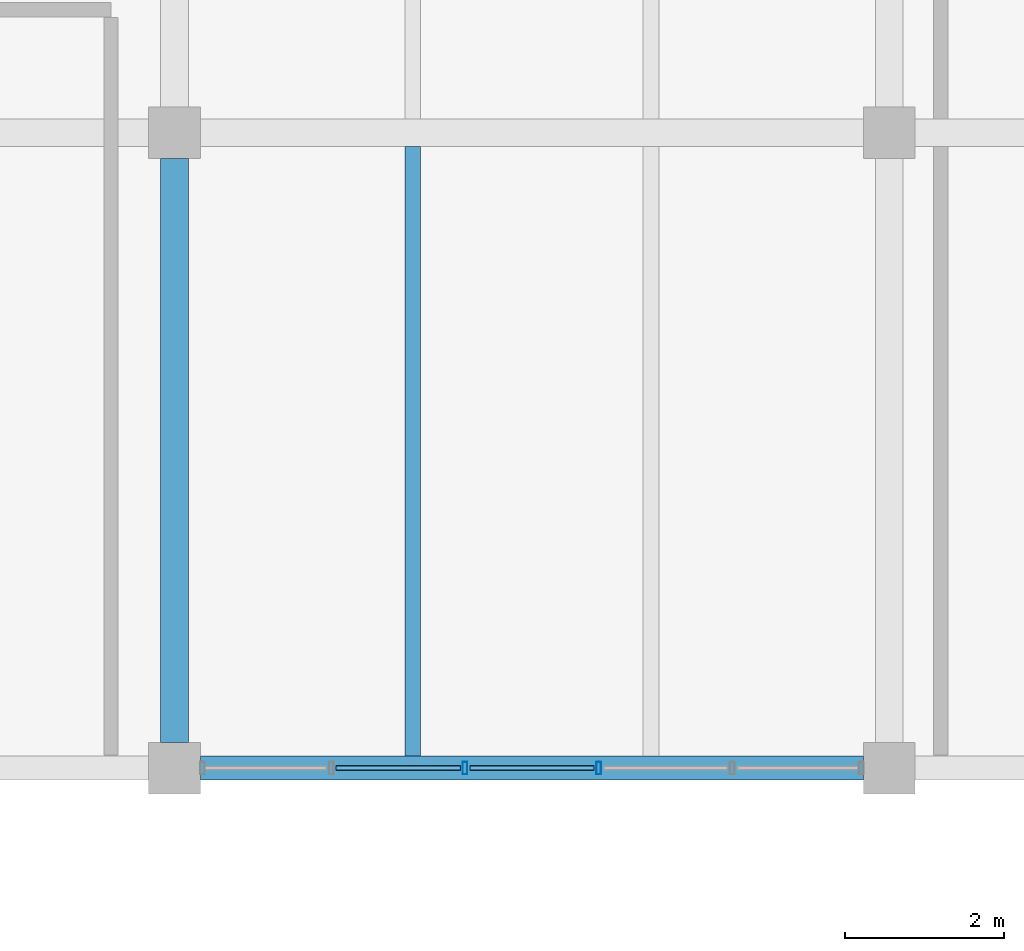
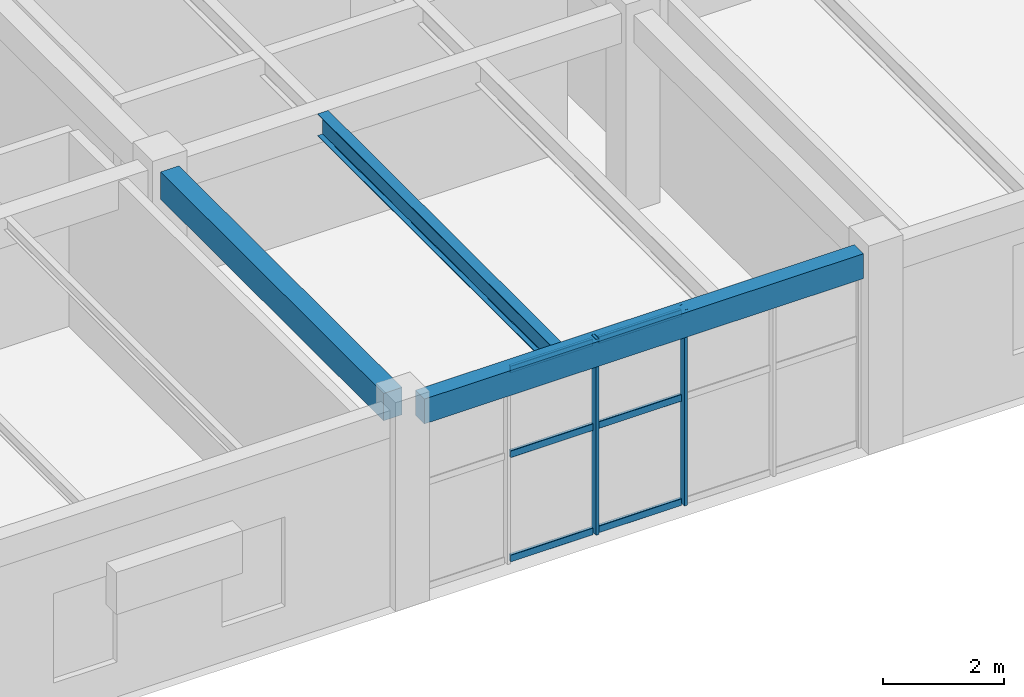
# One storey, part 15 of 71: 8 members, 3 beams, 1 element without a shape of its own.
"""IFC4 building model written with IfcOpenShell, lengths in metres."""

from ifc_helpers import new_model, si_unit, derived_unit, direction, frame, origin, origin_2d, place, context, subcontext, project, spatial, rectangle, hollow_rectangle, i_section, extrude, material, material_profile, profile_set, type_object, element, aggregate, save


model = new_model("IFC4")

# Units and contexts
model_context = context("Model", 3, precision=1e-05, world=origin(), true_north=direction((0.0, 1.0)))
body_context = subcontext(model_context, "Body", "Model", "MODEL_VIEW")
ifc_project = project(units=[si_unit("LENGTHUNIT", "METRE"), si_unit("AREAUNIT", "SQUARE_METRE"), si_unit("VOLUMEUNIT", "CUBIC_METRE"), si_unit("PLANEANGLEUNIT", "RADIAN"), si_unit("MASSUNIT", "GRAM", prefix="KILO"), derived_unit("THERMALTRANSMITTANCEUNIT", [(si_unit("MASSUNIT", "GRAM", prefix="KILO"), 1), (si_unit("TIMEUNIT", "SECOND"), -3), (si_unit("THERMODYNAMICTEMPERATUREUNIT", "KELVIN"), -1)])], contexts=[model_context])

# Site, building, storey
site_placement = place(None, origin())
site = spatial("IfcSite", under=ifc_project, at=site_placement, CompositionType="ELEMENT")
building_placement = place(site_placement, origin())
building = spatial("IfcBuilding", under=site, at=building_placement, Name="Zhenchuan Archway Interchange", CompositionType="ELEMENT")
storey_placement = place(building_placement, frame((0.0, 0.0, 18.60009765625)))
storey = spatial("IfcBuildingStorey", under=building, at=storey_placement, Name="L04", CompositionType="ELEMENT", Elevation=18.60009765625)

# Beam
ifc_material_1 = material(Name="Concrete C40", Category="concrete")
ifc_material_profile_1 = material_profile(ifc_material_1, rectangle(XDim=0.35009765625, YDim=0.550048828125, at=origin_2d()), Name="RC 350x550")
ifc_profile_set_1 = profile_set([ifc_material_profile_1], Name="Concrete C40")
beam_type_1 = type_object("IfcBeamType", Name="BM_RC_350x550", PredefinedType="BEAM", material=ifc_profile_set_1)
beam_1_placement = place(storey_placement, frame((153.0, 8.324951171875, 3.664794921875), z_axis=(0.0, 1.0, 0.0), x_axis=(-1.0, 0.0, 0.0)))
element("IfcBeam", 1, at=beam_1_placement, inside=storey, type_object=beam_type_1, Name="Beam 18:B-C (L04)", PredefinedType="BEAM", context=body_context, shape_type="SweptSolid", body=[
    extrude(rectangle(XDim=0.35009765625, YDim=0.550048828125, at=origin_2d()), origin(), (0.0, 0.0, 1.0), 7.35009765625),
])

# Curtain wall, members
ifc_material_2 = material(Name="Anodised Aluminium", Category="aluminium")
curtain_wall_type = type_object("IfcCurtainWallType", Name="CW_UNIT_1", PredefinedType="NOTDEFINED", material=ifc_material_2)
curtain_wall_placement = place(storey_placement, origin())
curtain_wall = element("IfcCurtainWall", 2, at=curtain_wall_placement, inside=storey, type_object=curtain_wall_type, Name="Unitised curtain wall CW:L04:188", PredefinedType="NOTDEFINED")
ifc_material_profile_2 = material_profile(ifc_material_2, hollow_rectangle(XDim=0.06005859375, YDim=0.159912109375, WallThickness=0.00390625, InnerFilletRadius=0.00390625, OuterFilletRadius=0.008056640625, at=origin_2d()), Name="ALU 160x60x4")
ifc_profile_set_2 = profile_set([ifc_material_profile_2], Name="Anodised Aluminium")
member_type_1 = type_object("IfcMemberType", Name="CW_MUL_150", PredefinedType="MULLION", material=ifc_profile_set_2)
member_1_placement = place(storey_placement, frame((158.34130859375, 8.0, 0.0), z_axis=(0.0, 0.0, 1.0), x_axis=(1.0, 0.0, 0.0)))
member_1 = element("IfcMember", 3, at=member_1_placement, type_object=member_type_1, Name="CW:L04:188 mullion 2", PredefinedType="MULLION", context=body_context, shape_type="SweptSolid", body=[
    extrude(hollow_rectangle(XDim=0.06005859375, YDim=0.159912109375, WallThickness=0.00390625, InnerFilletRadius=0.00390625, OuterFilletRadius=0.008056640625, at=origin_2d()), origin(), (0.0, 0.0, 1.0), 3.93994140625),
])
member_2_placement = place(storey_placement, frame((156.65869140625, 8.0, 0.0), z_axis=(0.0, 0.0, 1.0), x_axis=(1.0, 0.0, 0.0)))
member_2 = element("IfcMember", 4, at=member_2_placement, type_object=member_type_1, Name="CW:L04:188 mullion 3", PredefinedType="MULLION", context=body_context, shape_type="SweptSolid", body=[
    extrude(hollow_rectangle(XDim=0.06005859375, YDim=0.159912109375, WallThickness=0.00390625, InnerFilletRadius=0.00390625, OuterFilletRadius=0.008056640625, at=origin_2d()), origin(), (0.0, 0.0, 1.0), 3.93994140625),
])
ifc_material_profile_3 = material_profile(ifc_material_2, hollow_rectangle(XDim=0.06005859375, YDim=0.139892578125, WallThickness=0.00341796875, InnerFilletRadius=0.00341796875, OuterFilletRadius=0.007080078125, at=origin_2d()), Name="ALU 140x60x3.5")
ifc_profile_set_3 = profile_set([ifc_material_profile_3], Name="Anodised Aluminium")
member_type_2 = type_object("IfcMemberType", Name="CW_TRN_140", PredefinedType="USERDEFINED", material=ifc_profile_set_3)
member_3_placement = place(storey_placement, frame((158.281494140625, 8.0, 0.059814453125), z_axis=(-1.0, 0.0, 0.0), x_axis=(0.0, -1.0, 0.0)))
member_3 = element("IfcMember", 5, at=member_3_placement, type_object=member_type_2, Name="CW:L04:188 transom 2-1", ObjectType="TRANSOM", PredefinedType="USERDEFINED", context=body_context, shape_type="SweptSolid", body=[
    extrude(hollow_rectangle(XDim=0.06005859375, YDim=0.139892578125, WallThickness=0.00341796875, InnerFilletRadius=0.00341796875, OuterFilletRadius=0.007080078125, at=origin_2d()), origin(), (0.0, 0.0, 1.0), 1.56298828125),
])
member_4_placement = place(storey_placement, frame((158.281494140625, 8.0, 2.156005859375), z_axis=(-1.0, 0.0, 0.0), x_axis=(0.0, -1.0, 0.0)))
member_4 = element("IfcMember", 6, at=member_4_placement, type_object=member_type_2, Name="CW:L04:188 transom 2-2", ObjectType="TRANSOM", PredefinedType="USERDEFINED", context=body_context, shape_type="SweptSolid", body=[
    extrude(hollow_rectangle(XDim=0.06005859375, YDim=0.139892578125, WallThickness=0.00341796875, InnerFilletRadius=0.00341796875, OuterFilletRadius=0.007080078125, at=origin_2d()), origin(), (0.0, 0.0, 1.0), 1.56298828125),
])
member_5_placement = place(storey_placement, frame((158.281494140625, 8.0, 3.85986328125), z_axis=(-1.0, 0.0, 0.0), x_axis=(0.0, -1.0, 0.0)))
member_5 = element("IfcMember", 7, at=member_5_placement, type_object=member_type_2, Name="CW:L04:188 transom 2-3", ObjectType="TRANSOM", PredefinedType="USERDEFINED", context=body_context, shape_type="SweptSolid", body=[
    extrude(hollow_rectangle(XDim=0.06005859375, YDim=0.139892578125, WallThickness=0.00341796875, InnerFilletRadius=0.00341796875, OuterFilletRadius=0.007080078125, at=origin_2d()), origin(), (0.0, 0.0, 1.0), 1.56298828125),
])
member_6_placement = place(storey_placement, frame((156.5986328125, 8.0, 0.059814453125), z_axis=(-1.0, 0.0, 0.0), x_axis=(0.0, -1.0, 0.0)))
member_6 = element("IfcMember", 8, at=member_6_placement, type_object=member_type_2, Name="CW:L04:188 transom 3-1", ObjectType="TRANSOM", PredefinedType="USERDEFINED", context=body_context, shape_type="SweptSolid", body=[
    extrude(hollow_rectangle(XDim=0.06005859375, YDim=0.139892578125, WallThickness=0.00341796875, InnerFilletRadius=0.00341796875, OuterFilletRadius=0.007080078125, at=origin_2d()), origin(), (0.0, 0.0, 1.0), 1.562744140625),
])
member_7_placement = place(storey_placement, frame((156.5986328125, 8.0, 2.156005859375), z_axis=(-1.0, 0.0, 0.0), x_axis=(0.0, -1.0, 0.0)))
member_7 = element("IfcMember", 9, at=member_7_placement, type_object=member_type_2, Name="CW:L04:188 transom 3-2", ObjectType="TRANSOM", PredefinedType="USERDEFINED", context=body_context, shape_type="SweptSolid", body=[
    extrude(hollow_rectangle(XDim=0.06005859375, YDim=0.139892578125, WallThickness=0.00341796875, InnerFilletRadius=0.00341796875, OuterFilletRadius=0.007080078125, at=origin_2d()), origin(), (0.0, 0.0, 1.0), 1.562744140625),
])
member_8_placement = place(storey_placement, frame((156.5986328125, 8.0, 3.85986328125), z_axis=(-1.0, 0.0, 0.0), x_axis=(0.0, -1.0, 0.0)))
member_8 = element("IfcMember", 10, at=member_8_placement, type_object=member_type_2, Name="CW:L04:188 transom 3-3", ObjectType="TRANSOM", PredefinedType="USERDEFINED", context=body_context, shape_type="SweptSolid", body=[
    extrude(hollow_rectangle(XDim=0.06005859375, YDim=0.139892578125, WallThickness=0.00341796875, InnerFilletRadius=0.00341796875, OuterFilletRadius=0.007080078125, at=origin_2d()), origin(), (0.0, 0.0, 1.0), 1.562744140625),
])
aggregate(curtain_wall, [member_1, member_2, member_3, member_4, member_5, member_6, member_7, member_8])

# Beams
ifc_material_3 = material(Name="Steel Q355", Category="steel")
ifc_material_profile_4 = material_profile(ifc_material_3, i_section(OverallWidth=0.199951171875, OverallDepth=0.449951171875, WebThickness=0.009033203125, FlangeThickness=0.013916015625, FilletRadius=0.01806640625, at=origin_2d()), Name="HN 450x200")
ifc_profile_set_4 = profile_set([ifc_material_profile_4], Name="Steel Q355")
beam_type_2 = type_object("IfcBeamType", Name="JST_STL_HN450", PredefinedType="JOIST", material=ifc_profile_set_4)
beam_2_placement = place(storey_placement, frame((156.0, 8.14990234375, 3.71484375), z_axis=(0.0, 1.0, 0.0), x_axis=(-1.0, 0.0, 0.0)))
element("IfcBeam", 11, at=beam_2_placement, inside=storey, type_object=beam_type_2, Name="Secondary joist 18-19/B-C #1 (L04)", PredefinedType="JOIST", context=body_context, shape_type="SweptSolid", body=[
    extrude(i_section(OverallWidth=0.199951171875, OverallDepth=0.449951171875, WebThickness=0.009033203125, FlangeThickness=0.013916015625, FilletRadius=0.01806640625, at=origin_2d()), origin(), (0.0, 0.0, 1.0), 7.675048828125),
])
ifc_material_profile_5 = material_profile(ifc_material_1, rectangle(XDim=0.300048828125, YDim=0.5, at=origin_2d()), Name="RC 300x500")
ifc_profile_set_5 = profile_set([ifc_material_profile_5], Name="Concrete C40")
beam_type_3 = type_object("IfcBeamType", Name="SP_RC_300x500", PredefinedType="SPANDREL", material=ifc_profile_set_5)
beam_3_placement = place(storey_placement, frame((153.324951171875, 8.0, 3.68994140625), z_axis=(1.0, 0.0, 0.0), x_axis=(0.0, 1.0, 0.0)))
element("IfcBeam", 12, at=beam_3_placement, inside=storey, type_object=beam_type_3, Name="Beam B:18-19 (L04)", PredefinedType="SPANDREL", context=body_context, shape_type="SweptSolid", body=[
    extrude(rectangle(XDim=0.300048828125, YDim=0.5, at=origin_2d()), origin(), (0.0, 0.0, 1.0), 8.35009765625),
])

save(model, "model.ifc")
